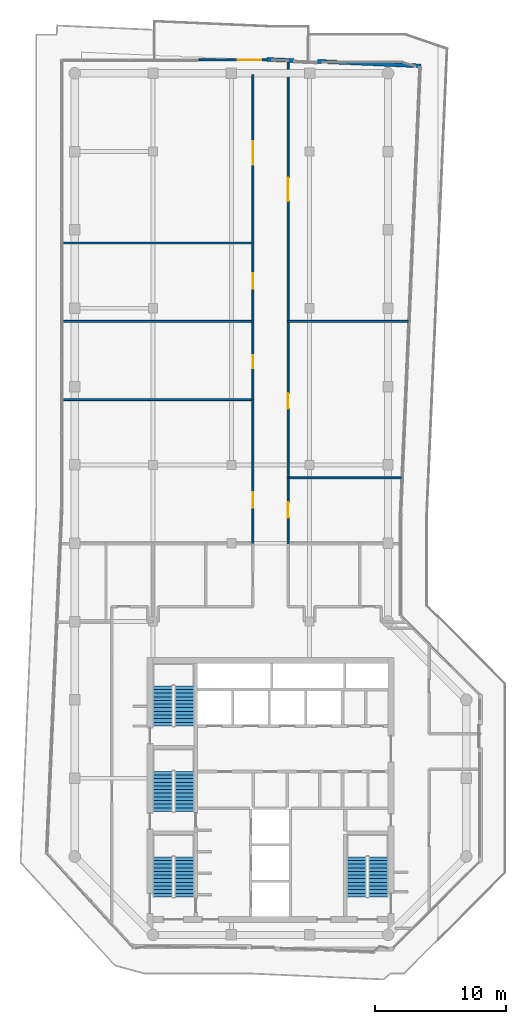
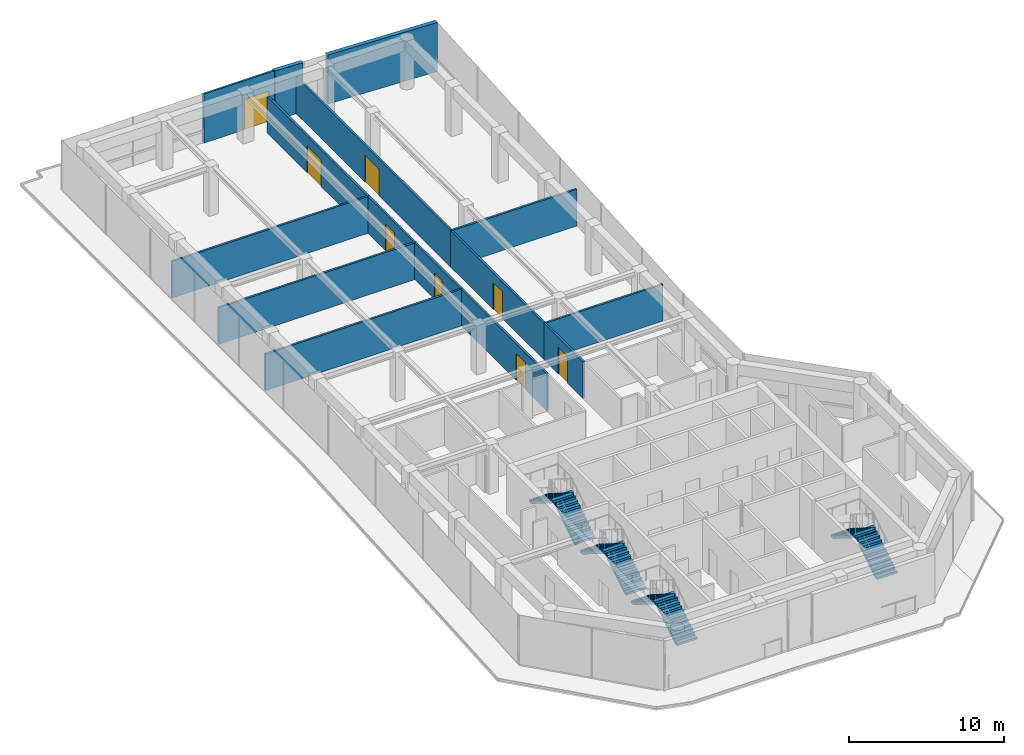
# One storey, part 18 of 20: 15 walls, 8 doors, 8 stair flights, 8 openings, 4 elements without a shape of their own.
"""IFC4 building model written with IfcOpenShell, lengths in metres."""

from ifc_helpers import new_model, si_unit, direction, frame, frame_2d, origin, place, context, subcontext, project, spatial, polyline, rectangle, outline, extrude, material, layer, layer_set, type_object, element, fill, aggregate, save


model = new_model("IFC4")

# Units and contexts
model_context = context("Model", 3, precision=1e-05, world=origin(), true_north=direction((0.0, 1.0)))
body_context = subcontext(model_context, "Body", "Model", "MODEL_VIEW")
ifc_project = project(units=[si_unit("LENGTHUNIT", "METRE"), si_unit("AREAUNIT", "SQUARE_METRE"), si_unit("VOLUMEUNIT", "CUBIC_METRE"), si_unit("PLANEANGLEUNIT", "RADIAN"), si_unit("MASSUNIT", "GRAM", prefix="KILO")], contexts=[model_context])

# Site, building, storey
site_placement = place(None, origin())
site = spatial("IfcSite", under=ifc_project, at=site_placement, CompositionType="ELEMENT")
building_placement = place(site_placement, origin())
building = spatial("IfcBuilding", under=site, at=building_placement, Name="Welwitschia Terrace Campus", CompositionType="ELEMENT")
storey_placement = place(building_placement, frame((0.0, 0.0, 239.0)))
storey = spatial("IfcBuildingStorey", under=building, at=storey_placement, Name="L53", CompositionType="ELEMENT", Elevation=239.0)

# Wall, opening, door
ifc_material_1 = material(Name="Concrete C40/50", Category="concrete")
ifc_layer_1 = layer(ifc_material_1, 0.139892578125)
ifc_layer_set_1 = layer_set([ifc_layer_1], Name="Concrete C40/50")
wall_type_1 = type_object("IfcWallType", Name="Clad wall 140", PredefinedType="SOLIDWALL", material=ifc_layer_set_1)
wall_1_placement = place(storey_placement, frame((14.72900390625, 71.030029296875, 0.0), z_axis=(0.0, 0.0, 1.0), x_axis=(-1.0, 0.0, 0.0)))
wall_1 = element("IfcWall", 1, at=wall_1_placement, inside=storey, type_object=wall_type_1, Name="Clad wall L53.terrace door 0", PredefinedType="SOLIDWALL", context=body_context, shape_type="SweptSolid", body=[
    extrude(rectangle(XDim=5.253173828125, YDim=0.139892578125, at=frame_2d((2.62646484375, 0.0))), origin(), (0.0, 0.0, 1.0), 3.85009765625),
])
opening_1_placement = place(wall_1_placement, frame((0.426513671875, 0.0, 0.0)))
opening_1 = element("IfcOpeningElement", 2, at=opening_1_placement, cuts=wall_1, Name="Opening DE3", PredefinedType="OPENING", context=body_context, shape_type="SweptSolid", body=[
    extrude(rectangle(XDim=1.800048828125, YDim=2.39990234375, at=frame_2d((0.89990234375, 1.199951171875))), frame((0.0, 0.079833984375, 0.0), z_axis=(0.0, -1.0, 0.0), x_axis=(1.0, 0.0, 0.0)), (0.0, 0.0, 1.0), 0.159912109375),
])
ifc_material_2 = material(Name="Bronze anodised aluminium and glass", Category="aluminium")
door_type_1 = type_object("IfcDoorType", Name="Terrace door 1800x2400", OperationType="DOUBLE_DOOR_DOUBLE_SWING", PredefinedType="DOOR", material=ifc_material_2)
door_1_placement = place(opening_1_placement, origin())
door_1 = element("IfcDoor", 3, at=door_1_placement, inside=storey, type_object=door_type_1, Name="Door L53:T0", OperationType="DOUBLE_DOOR_DOUBLE_SWING", OverallHeight=2.39990234375, OverallWidth=1.800048828125, PredefinedType="DOOR", context=body_context, shape_type="SweptSolid", body=[
    extrude(rectangle(XDim=1.800048828125, YDim=2.39990234375, at=frame_2d((0.89990234375, 1.199951171875))), frame((0.0, 0.02490234375, 0.0), z_axis=(0.0, -1.0, 0.0), x_axis=(1.0, 0.0, 0.0)), (0.0, 0.0, 1.0), 0.050048828125),
])
fill(opening_1, door_1)

# Walls
ifc_material_3 = material(Name="Gypsum board on steel studs", Category="steel")
ifc_layer_2 = layer(ifc_material_3, 0.14990234375)
ifc_layer_set_2 = layer_set([ifc_layer_2], Name="Gypsum board on steel studs")
wall_type_2 = type_object("IfcWallType", Name="Corridor partition 150 EI 30", PredefinedType="PARTITIONING", material=ifc_layer_set_2)
for number, where, z_axis, x_axis, name in (
    (4, (-0.97998046875, 45.0, 0.0), (0.0, 0.0, 1.0), (1.0, 0.0, 0.0), "Partition"),
    (5, (-0.97998046875, 51.0, 0.0), (0.0, 0.0, 1.0), (1.0, 0.0, 0.0), "Partition"),
    (6, (-0.97998046875, 57.0, 0.0), (0.0, 0.0, 1.0), (1.0, 0.0, 0.0), "Partition"),
):
    element("IfcWall", number, at=place(storey_placement, frame(where, z_axis=z_axis, x_axis=x_axis)), inside=storey, type_object=wall_type_2, Name=name, PredefinedType="PARTITIONING", context=body_context, shape_type="SweptSolid", body=[
        extrude(rectangle(XDim=14.6298828125, YDim=0.14990234375, at=frame_2d((7.31494140625, 0.0))), origin(), (0.0, 0.0, 1.0), 2.8798828125),
    ])

# Wall, opening, door
wall_2_placement = place(storey_placement, frame((13.64990234375, 33.949951171875, 0.0), z_axis=(0.0, 0.0, 1.0), x_axis=(0.0, 1.0, 0.0)))
wall_2 = element("IfcWall", 7, at=wall_2_placement, inside=storey, type_object=wall_type_2, Name="Partition", PredefinedType="PARTITIONING", context=body_context, shape_type="SweptSolid", body=[
    extrude(rectangle(XDim=11.050048828125, YDim=0.14990234375, at=frame_2d((5.52490234375, 0.0))), origin(), (0.0, 0.0, 1.0), 2.8798828125),
])
opening_2_placement = place(wall_2_placement, frame((2.75, 0.0, 0.0)))
opening_2 = element("IfcOpeningElement", 8, at=opening_2_placement, cuts=wall_2, Name="Opening DI12", PredefinedType="OPENING", context=body_context, shape_type="SweptSolid", body=[
    extrude(rectangle(XDim=1.199951171875, YDim=2.10009765625, at=frame_2d((0.60009765625, 1.050048828125))), frame((0.0, 0.0849609375, 0.0), z_axis=(0.0, -1.0, 0.0), x_axis=(1.0, 0.0, 0.0)), (0.0, 0.0, 1.0), 0.169921875),
])
ifc_material_4 = material(Name="Timber veneered door", Category="wood")
door_type_2 = type_object("IfcDoorType", Name="Interior door DI12", OperationType="NOTDEFINED", PredefinedType="DOOR", material=ifc_material_4)
door_2_placement = place(opening_2_placement, origin())
door_2 = element("IfcDoor", 9, at=door_2_placement, inside=storey, type_object=door_type_2, Name="Door L53 977", OperationType="SINGLE_SWING_RIGHT", OverallHeight=2.10009765625, OverallWidth=1.199951171875, PredefinedType="DOOR", context=body_context, shape_type="SweptSolid", body=[
    extrude(rectangle(XDim=1.199951171875, YDim=2.10009765625, at=frame_2d((0.60009765625, 1.050048828125))), frame((0.0, 0.02490234375, 0.0), z_axis=(0.0, -1.0, 0.0), x_axis=(1.0, 0.0, 0.0)), (0.0, 0.0, 1.0), 0.050048828125),
])
fill(opening_2, door_2)

wall_3_placement = place(storey_placement, frame((13.64990234375, 45.0, 0.0), z_axis=(0.0, 0.0, 1.0), x_axis=(0.0, 1.0, 0.0)))
wall_3 = element("IfcWall", 10, at=wall_3_placement, inside=storey, type_object=wall_type_2, Name="Partition", PredefinedType="PARTITIONING", context=body_context, shape_type="SweptSolid", body=[
    extrude(rectangle(XDim=6.0, YDim=0.14990234375, at=frame_2d((3.0, 0.0))), origin(), (0.0, 0.0, 1.0), 2.8798828125),
])
opening_3_placement = place(wall_3_placement, frame((2.39990234375, 0.0, 0.0)))
opening_3 = element("IfcOpeningElement", 11, at=opening_3_placement, cuts=wall_3, Name="Opening DI10", PredefinedType="OPENING", context=body_context, shape_type="SweptSolid", body=[
    extrude(rectangle(XDim=1.0, YDim=2.10009765625, at=frame_2d((0.5, 1.050048828125))), frame((0.0, 0.0849609375, 0.0), z_axis=(0.0, -1.0, 0.0), x_axis=(1.0, 0.0, 0.0)), (0.0, 0.0, 1.0), 0.169921875),
])
ifc_material_5 = material(Name="Timber veneered door", Category="wood")
door_type_3 = type_object("IfcDoorType", Name="Interior door DI10", OperationType="NOTDEFINED", PredefinedType="DOOR", material=ifc_material_5)
door_3_placement = place(opening_3_placement, origin())
door_3 = element("IfcDoor", 12, at=door_3_placement, inside=storey, type_object=door_type_3, Name="Door L53 978", OperationType="SINGLE_SWING_LEFT", OverallHeight=2.10009765625, OverallWidth=1.0, PredefinedType="DOOR", context=body_context, shape_type="SweptSolid", body=[
    extrude(rectangle(XDim=1.0, YDim=2.10009765625, at=frame_2d((0.5, 1.050048828125))), frame((0.0, 0.02490234375, 0.0), z_axis=(0.0, -1.0, 0.0), x_axis=(1.0, 0.0, 0.0)), (0.0, 0.0, 1.0), 0.050048828125),
])
fill(opening_3, door_3)

wall_4_placement = place(storey_placement, frame((13.64990234375, 51.0, 0.0), z_axis=(0.0, 0.0, 1.0), x_axis=(0.0, 1.0, 0.0)))
wall_4 = element("IfcWall", 13, at=wall_4_placement, inside=storey, type_object=wall_type_2, Name="Partition", PredefinedType="PARTITIONING", context=body_context, shape_type="SweptSolid", body=[
    extrude(rectangle(XDim=6.0, YDim=0.14990234375, at=frame_2d((3.0, 0.0))), origin(), (0.0, 0.0, 1.0), 2.8798828125),
])
opening_4_placement = place(wall_4_placement, frame((2.5, 0.0, 0.0)))
opening_4 = element("IfcOpeningElement", 14, at=opening_4_placement, cuts=wall_4, Name="Opening DI12", PredefinedType="OPENING", context=body_context, shape_type="SweptSolid", body=[
    extrude(rectangle(XDim=1.199951171875, YDim=2.10009765625, at=frame_2d((0.60009765625, 1.050048828125))), frame((0.0, 0.0849609375, 0.0), z_axis=(0.0, -1.0, 0.0), x_axis=(1.0, 0.0, 0.0)), (0.0, 0.0, 1.0), 0.169921875),
])
door_4_placement = place(opening_4_placement, origin())
door_4 = element("IfcDoor", 15, at=door_4_placement, inside=storey, type_object=door_type_2, Name="Door L53 979", OperationType="SINGLE_SWING_RIGHT", OverallHeight=2.10009765625, OverallWidth=1.199951171875, PredefinedType="DOOR", context=body_context, shape_type="SweptSolid", body=[
    extrude(rectangle(XDim=1.199951171875, YDim=2.10009765625, at=frame_2d((0.60009765625, 1.050048828125))), frame((0.0, 0.02490234375, 0.0), z_axis=(0.0, -1.0, 0.0), x_axis=(1.0, 0.0, 0.0)), (0.0, 0.0, 1.0), 0.050048828125),
])
fill(opening_4, door_4)

wall_5_placement = place(storey_placement, frame((13.64990234375, 69.89990234375, 0.0), z_axis=(0.0, 0.0, 1.0), x_axis=(0.0, -1.0, 0.0)))
wall_5 = element("IfcWall", 16, at=wall_5_placement, inside=storey, type_object=wall_type_2, Name="Partition", PredefinedType="PARTITIONING", context=body_context, shape_type="SweptSolid", body=[
    extrude(rectangle(XDim=12.89990234375, YDim=0.14990234375, at=frame_2d((6.449951171875, 0.0))), origin(), (0.0, 0.0, 1.0), 2.8798828125),
])
opening_5_placement = place(wall_5_placement, frame((5.1201171875, 0.0, 0.0)))
opening_5 = element("IfcOpeningElement", 17, at=opening_5_placement, cuts=wall_5, Name="Opening DI18", PredefinedType="OPENING", context=body_context, shape_type="SweptSolid", body=[
    extrude(rectangle(XDim=1.800048828125, YDim=2.10009765625, at=frame_2d((0.89990234375, 1.050048828125))), frame((0.0, 0.0849609375, 0.0), z_axis=(0.0, -1.0, 0.0), x_axis=(1.0, 0.0, 0.0)), (0.0, 0.0, 1.0), 0.169921875),
])
ifc_material_6 = material(Name="Timber veneered door", Category="wood")
door_type_4 = type_object("IfcDoorType", Name="Interior door DI18", OperationType="DOUBLE_DOOR_SINGLE_SWING", PredefinedType="DOOR", material=ifc_material_6)
door_5_placement = place(opening_5_placement, origin())
door_5 = element("IfcDoor", 18, at=door_5_placement, inside=storey, type_object=door_type_4, Name="Door L53 980", OperationType="SINGLE_SWING_LEFT", OverallHeight=2.10009765625, OverallWidth=1.800048828125, PredefinedType="DOOR", context=body_context, shape_type="SweptSolid", body=[
    extrude(rectangle(XDim=1.800048828125, YDim=2.10009765625, at=frame_2d((0.89990234375, 1.050048828125))), frame((0.0, 0.02490234375, 0.0), z_axis=(0.0, -1.0, 0.0), x_axis=(1.0, 0.0, 0.0)), (0.0, 0.0, 1.0), 0.050048828125),
])
fill(opening_5, door_5)

wall_6_placement = place(storey_placement, frame((16.35009765625, 39.0, 0.0), z_axis=(0.0, 0.0, 1.0), x_axis=(0.0, -1.0, 0.0)))
wall_6 = element("IfcWall", 19, at=wall_6_placement, inside=storey, type_object=wall_type_2, Name="Partition", PredefinedType="PARTITIONING", context=body_context, shape_type="SweptSolid", body=[
    extrude(rectangle(XDim=5.050048828125, YDim=0.14990234375, at=frame_2d((2.52490234375, 0.0))), origin(), (0.0, 0.0, 1.0), 2.8798828125),
])
opening_6_placement = place(wall_6_placement, frame((1.85009765625, 0.0, 0.0)))
opening_6 = element("IfcOpeningElement", 20, at=opening_6_placement, cuts=wall_6, Name="Opening DI12", PredefinedType="OPENING", context=body_context, shape_type="SweptSolid", body=[
    extrude(rectangle(XDim=1.199951171875, YDim=2.10009765625, at=frame_2d((0.60009765625, 1.050048828125))), frame((0.0, 0.0849609375, 0.0), z_axis=(0.0, -1.0, 0.0), x_axis=(1.0, 0.0, 0.0)), (0.0, 0.0, 1.0), 0.169921875),
])
door_6_placement = place(opening_6_placement, origin())
door_6 = element("IfcDoor", 21, at=door_6_placement, inside=storey, type_object=door_type_2, Name="Door L53 981", OperationType="SINGLE_SWING_RIGHT", OverallHeight=2.10009765625, OverallWidth=1.199951171875, PredefinedType="DOOR", context=body_context, shape_type="SweptSolid", body=[
    extrude(rectangle(XDim=1.199951171875, YDim=2.10009765625, at=frame_2d((0.60009765625, 1.050048828125))), frame((0.0, 0.02490234375, 0.0), z_axis=(0.0, -1.0, 0.0), x_axis=(1.0, 0.0, 0.0)), (0.0, 0.0, 1.0), 0.050048828125),
])
fill(opening_6, door_6)

wall_7_placement = place(storey_placement, frame((16.35009765625, 39.0, 0.0), z_axis=(0.0, 0.0, 1.0), x_axis=(0.0, 1.0, 0.0)))
wall_7 = element("IfcWall", 22, at=wall_7_placement, inside=storey, type_object=wall_type_2, Name="Partition", PredefinedType="PARTITIONING", context=body_context, shape_type="SweptSolid", body=[
    extrude(rectangle(XDim=12.0, YDim=0.14990234375, at=frame_2d((6.0, 0.0))), origin(), (0.0, 0.0, 1.0), 2.8798828125),
])
opening_7_placement = place(wall_7_placement, frame((5.300048828125, 0.0, 0.0)))
opening_7 = element("IfcOpeningElement", 23, at=opening_7_placement, cuts=wall_7, Name="Opening DI12", PredefinedType="OPENING", context=body_context, shape_type="SweptSolid", body=[
    extrude(rectangle(XDim=1.199951171875, YDim=2.10009765625, at=frame_2d((0.60009765625, 1.050048828125))), frame((0.0, 0.0849609375, 0.0), z_axis=(0.0, -1.0, 0.0), x_axis=(1.0, 0.0, 0.0)), (0.0, 0.0, 1.0), 0.169921875),
])
door_7_placement = place(opening_7_placement, origin())
door_7 = element("IfcDoor", 24, at=door_7_placement, inside=storey, type_object=door_type_2, Name="Door L53 982", OperationType="SINGLE_SWING_LEFT", OverallHeight=2.10009765625, OverallWidth=1.199951171875, PredefinedType="DOOR", context=body_context, shape_type="SweptSolid", body=[
    extrude(rectangle(XDim=1.199951171875, YDim=2.10009765625, at=frame_2d((0.60009765625, 1.050048828125))), frame((0.0, 0.02490234375, 0.0), z_axis=(0.0, -1.0, 0.0), x_axis=(1.0, 0.0, 0.0)), (0.0, 0.0, 1.0), 0.050048828125),
])
fill(opening_7, door_7)

# Wall
wall_8_placement = place(storey_placement, frame((16.35009765625, 39.0, 0.0), z_axis=(0.0, 0.0, 1.0), x_axis=(1.0, 0.0, 0.0)))
element("IfcWall", 25, at=wall_8_placement, inside=storey, type_object=wall_type_2, Name="Partition", PredefinedType="PARTITIONING", context=body_context, shape_type="SweptSolid", body=[
    extrude(rectangle(XDim=8.75, YDim=0.14990234375, at=frame_2d((4.375, 0.0))), origin(), (0.0, 0.0, 1.0), 2.8798828125),
])

# Wall, opening, door
wall_9_placement = place(storey_placement, frame((16.35009765625, 51.0, 0.0), z_axis=(0.0, 0.0, 1.0), x_axis=(0.0, 1.0, 0.0)))
wall_9 = element("IfcWall", 26, at=wall_9_placement, inside=storey, type_object=wall_type_2, Name="Partition", PredefinedType="PARTITIONING", context=body_context, shape_type="SweptSolid", body=[
    extrude(rectangle(XDim=20.018310546875, YDim=0.14990234375, at=frame_2d((10.00927734375, 0.0))), origin(), (0.0, 0.0, 1.0), 2.8798828125),
])
opening_8_placement = place(wall_9_placement, frame((9.199951171875, 0.0, 0.0)))
opening_8 = element("IfcOpeningElement", 27, at=opening_8_placement, cuts=wall_9, Name="Opening DI18", PredefinedType="OPENING", context=body_context, shape_type="SweptSolid", body=[
    extrude(rectangle(XDim=1.800048828125, YDim=2.10009765625, at=frame_2d((0.89990234375, 1.050048828125))), frame((0.0, 0.0849609375, 0.0), z_axis=(0.0, -1.0, 0.0), x_axis=(1.0, 0.0, 0.0)), (0.0, 0.0, 1.0), 0.169921875),
])
door_8_placement = place(opening_8_placement, origin())
door_8 = element("IfcDoor", 28, at=door_8_placement, inside=storey, type_object=door_type_4, Name="Door L53 983", OperationType="SINGLE_SWING_LEFT", OverallHeight=2.10009765625, OverallWidth=1.800048828125, PredefinedType="DOOR", context=body_context, shape_type="SweptSolid", body=[
    extrude(rectangle(XDim=1.800048828125, YDim=2.10009765625, at=frame_2d((0.89990234375, 1.050048828125))), frame((0.0, 0.02490234375, 0.0), z_axis=(0.0, -1.0, 0.0), x_axis=(1.0, 0.0, 0.0)), (0.0, 0.0, 1.0), 0.050048828125),
])
fill(opening_8, door_8)

# Walls
wall_10_placement = place(storey_placement, frame((16.35009765625, 51.0, 0.0), z_axis=(0.0, 0.0, 1.0), x_axis=(1.0, 0.0, 0.0)))
element("IfcWall", 29, at=wall_10_placement, inside=storey, type_object=wall_type_2, Name="Partition", PredefinedType="PARTITIONING", context=body_context, shape_type="SweptSolid", body=[
    extrude(rectangle(XDim=9.27978515625, YDim=0.14990234375, at=frame_2d((4.639892578125, 0.0))), origin(), (0.0, 0.0, 1.0), 2.8798828125),
])
ifc_material_7 = material(Name="Concrete C40/50", Category="concrete")
ifc_layer_3 = layer(ifc_material_7, 0.300048828125)
ifc_layer_set_3 = layer_set([ifc_layer_3], Name="Concrete C40/50")
wall_type_3 = type_object("IfcWallType", Name="Mass wall 300", PredefinedType="SOLIDWALL", material=ifc_layer_set_3)
wall_11_placement = place(storey_placement, frame((26.53271484375, 70.565673828125, 0.0), z_axis=(0.0, 0.0, 1.0), x_axis=(-0.999020054915, 0.044259799799, 0.0)))
element("IfcWall", 30, at=wall_11_placement, inside=storey, type_object=wall_type_3, Name="Mass wall L53.8.0", PredefinedType="SOLIDWALL", context=body_context, shape_type="SweptSolid", body=[
    extrude(rectangle(XDim=7.959716796875, YDim=0.300048828125, at=frame_2d((3.97998046875, 0.0))), origin(), (0.0, 0.0, 1.0), 3.85009765625),
])
wall_12_placement = place(storey_placement, frame((16.78173828125, 70.974365234375, 0.0), z_axis=(0.0, 0.0, 1.0), x_axis=(-0.999021293224, 0.044231840167, 0.0)))
element("IfcWall", 31, at=wall_12_placement, inside=storey, type_object=wall_type_3, Name="Mass wall L53.8.1", PredefinedType="SOLIDWALL", context=body_context, shape_type="SweptSolid", body=[
    extrude(rectangle(XDim=2.05322265625, YDim=0.300048828125, at=frame_2d((1.026611328125, 0.0))), origin(), (0.0, 0.0, 1.0), 3.85009765625),
])

# Stair, stair flights
ifc_material_8 = material(Name="Concrete C40/50", Category="concrete")
stair_type = type_object("IfcStairType", Name="Stair 24R 175 W1500", PredefinedType="HALF_TURN_STAIR", material=ifc_material_8)
stair_1_placement = place(storey_placement, origin())
stair_1 = element("IfcStair", 32, at=stair_1_placement, inside=storey, type_object=stair_type, Name="L53 Exit stair S1", PredefinedType="HALF_TURN_STAIR")
ifc_material_9 = material(Name="Concrete C40/50", Category="concrete")
stair_flight_type = type_object("IfcStairFlightType", Name="Stair flight 24R 175 W1500", PredefinedType="STRAIGHT", material=ifc_material_9)
stair_flight_1_placement = place(storey_placement, frame((8.39990234375, 6.89990234375, 0.0), z_axis=(0.0, 0.0, 1.0), x_axis=(0.0, 1.0, 0.0)))
stair_flight_1 = element("IfcStairFlight", 33, at=stair_flight_1_placement, type_object=stair_flight_type, Name="S1 flight 1", NumberOfRisers=12, NumberOfTreads=11, PredefinedType="STRAIGHT", RiserHeight=0.175, TreadLength=0.28, context=body_context, shape_type="SweptSolid", body=[
    extrude(outline(polyline([(0.0, 0.0), (0.0, 0.175048828125), (0.280029296875, 0.175048828125), (0.280029296875, 0.35009765625), (0.56005859375, 0.35009765625), (0.56005859375, 0.52490234375), (0.840087890625, 0.52490234375), (0.840087890625, 0.699951171875), (1.1201171875, 0.699951171875), (1.1201171875, 0.875), (1.39990234375, 0.875), (1.39990234375, 1.050048828125), (1.679931640625, 1.050048828125), (1.679931640625, 1.22509765625), (1.9599609375, 1.22509765625), (1.9599609375, 1.39990234375), (2.239990234375, 1.39990234375), (2.239990234375, 1.574951171875), (2.52001953125, 1.574951171875), (2.52001953125, 1.75), (2.800048828125, 1.75), (2.800048828125, 1.925048828125), (3.080078125, 1.925048828125), (3.080078125, 2.10009765625), (3.080078125, 1.748291015625), (0.28271484375, 0.0), (0.0, 0.0)])), frame((0.0, 0.75, 0.0), z_axis=(0.0, -1.0, 0.0), x_axis=(1.0, 0.0, 0.0)), (0.0, 0.0, 1.0), 1.5),
])
stair_flight_2_placement = place(storey_placement, frame((6.75, 9.97998046875, 2.10009765625), z_axis=(0.0, 0.0, 1.0), x_axis=(0.0, -1.0, 0.0)))
stair_flight_2 = element("IfcStairFlight", 34, at=stair_flight_2_placement, type_object=stair_flight_type, Name="S1 flight 2", NumberOfRisers=12, NumberOfTreads=11, PredefinedType="STRAIGHT", RiserHeight=0.175, TreadLength=0.28, context=body_context, shape_type="SweptSolid", body=[
    extrude(outline(polyline([(0.0, 0.0), (0.0, 0.175048828125), (0.280029296875, 0.175048828125), (0.280029296875, 0.35009765625), (0.56005859375, 0.35009765625), (0.56005859375, 0.52490234375), (0.840087890625, 0.52490234375), (0.840087890625, 0.699951171875), (1.1201171875, 0.699951171875), (1.1201171875, 0.875), (1.39990234375, 0.875), (1.39990234375, 1.050048828125), (1.679931640625, 1.050048828125), (1.679931640625, 1.22509765625), (1.9599609375, 1.22509765625), (1.9599609375, 1.39990234375), (2.239990234375, 1.39990234375), (2.239990234375, 1.574951171875), (2.52001953125, 1.574951171875), (2.52001953125, 1.75), (2.800048828125, 1.75), (2.800048828125, 1.925048828125), (3.080078125, 1.925048828125), (3.080078125, 2.10009765625), (3.080078125, 1.748291015625), (0.28271484375, 0.0), (0.0, 0.0)])), frame((0.0, 0.75, 0.0), z_axis=(0.0, -1.0, 0.0), x_axis=(1.0, 0.0, 0.0)), (0.0, 0.0, 1.0), 1.5),
])
aggregate(stair_1, [stair_flight_1, stair_flight_2])

stair_2_placement = place(storey_placement, origin())
stair_2 = element("IfcStair", 35, at=stair_2_placement, inside=storey, type_object=stair_type, Name="L53 Exit stair S3", PredefinedType="HALF_TURN_STAIR")
stair_flight_3_placement = place(storey_placement, frame((8.39990234375, 13.449951171875, 0.0), z_axis=(0.0, 0.0, 1.0), x_axis=(0.0, 1.0, 0.0)))
stair_flight_3 = element("IfcStairFlight", 36, at=stair_flight_3_placement, type_object=stair_flight_type, Name="S3 flight 1", NumberOfRisers=12, NumberOfTreads=11, PredefinedType="STRAIGHT", RiserHeight=0.175, TreadLength=0.28, context=body_context, shape_type="SweptSolid", body=[
    extrude(outline(polyline([(0.0, 0.0), (0.0, 0.175048828125), (0.280029296875, 0.175048828125), (0.280029296875, 0.35009765625), (0.56005859375, 0.35009765625), (0.56005859375, 0.52490234375), (0.840087890625, 0.52490234375), (0.840087890625, 0.699951171875), (1.1201171875, 0.699951171875), (1.1201171875, 0.875), (1.39990234375, 0.875), (1.39990234375, 1.050048828125), (1.679931640625, 1.050048828125), (1.679931640625, 1.22509765625), (1.9599609375, 1.22509765625), (1.9599609375, 1.39990234375), (2.239990234375, 1.39990234375), (2.239990234375, 1.574951171875), (2.52001953125, 1.574951171875), (2.52001953125, 1.75), (2.800048828125, 1.75), (2.800048828125, 1.925048828125), (3.080078125, 1.925048828125), (3.080078125, 2.10009765625), (3.080078125, 1.748291015625), (0.28271484375, 0.0), (0.0, 0.0)])), frame((0.0, 0.75, 0.0), z_axis=(0.0, -1.0, 0.0), x_axis=(1.0, 0.0, 0.0)), (0.0, 0.0, 1.0), 1.5),
])
stair_flight_4_placement = place(storey_placement, frame((6.75, 16.530029296875, 2.10009765625), z_axis=(0.0, 0.0, 1.0), x_axis=(0.0, -1.0, 0.0)))
stair_flight_4 = element("IfcStairFlight", 37, at=stair_flight_4_placement, type_object=stair_flight_type, Name="S3 flight 2", NumberOfRisers=12, NumberOfTreads=11, PredefinedType="STRAIGHT", RiserHeight=0.175, TreadLength=0.28, context=body_context, shape_type="SweptSolid", body=[
    extrude(outline(polyline([(0.0, 0.0), (0.0, 0.175048828125), (0.280029296875, 0.175048828125), (0.280029296875, 0.35009765625), (0.56005859375, 0.35009765625), (0.56005859375, 0.52490234375), (0.840087890625, 0.52490234375), (0.840087890625, 0.699951171875), (1.1201171875, 0.699951171875), (1.1201171875, 0.875), (1.39990234375, 0.875), (1.39990234375, 1.050048828125), (1.679931640625, 1.050048828125), (1.679931640625, 1.22509765625), (1.9599609375, 1.22509765625), (1.9599609375, 1.39990234375), (2.239990234375, 1.39990234375), (2.239990234375, 1.574951171875), (2.52001953125, 1.574951171875), (2.52001953125, 1.75), (2.800048828125, 1.75), (2.800048828125, 1.925048828125), (3.080078125, 1.925048828125), (3.080078125, 2.10009765625), (3.080078125, 1.748291015625), (0.28271484375, 0.0), (0.0, 0.0)])), frame((0.0, 0.75, 0.0), z_axis=(0.0, -1.0, 0.0), x_axis=(1.0, 0.0, 0.0)), (0.0, 0.0, 1.0), 1.5),
])
aggregate(stair_2, [stair_flight_3, stair_flight_4])

stair_3_placement = place(storey_placement, origin())
stair_3 = element("IfcStair", 38, at=stair_3_placement, inside=storey, type_object=stair_type, Name="L53 Exit stair S4", PredefinedType="HALF_TURN_STAIR")
stair_flight_5_placement = place(storey_placement, frame((8.39990234375, 20.0, 0.0), z_axis=(0.0, 0.0, 1.0), x_axis=(0.0, 1.0, 0.0)))
stair_flight_5 = element("IfcStairFlight", 39, at=stair_flight_5_placement, type_object=stair_flight_type, Name="S4 flight 1", NumberOfRisers=12, NumberOfTreads=11, PredefinedType="STRAIGHT", RiserHeight=0.175, TreadLength=0.28, context=body_context, shape_type="SweptSolid", body=[
    extrude(outline(polyline([(0.0, 0.0), (0.0, 0.175048828125), (0.280029296875, 0.175048828125), (0.280029296875, 0.35009765625), (0.56005859375, 0.35009765625), (0.56005859375, 0.52490234375), (0.840087890625, 0.52490234375), (0.840087890625, 0.699951171875), (1.1201171875, 0.699951171875), (1.1201171875, 0.875), (1.39990234375, 0.875), (1.39990234375, 1.050048828125), (1.679931640625, 1.050048828125), (1.679931640625, 1.22509765625), (1.9599609375, 1.22509765625), (1.9599609375, 1.39990234375), (2.239990234375, 1.39990234375), (2.239990234375, 1.574951171875), (2.52001953125, 1.574951171875), (2.52001953125, 1.75), (2.800048828125, 1.75), (2.800048828125, 1.925048828125), (3.080078125, 1.925048828125), (3.080078125, 2.10009765625), (3.080078125, 1.748291015625), (0.28271484375, 0.0), (0.0, 0.0)])), frame((0.0, 0.75, 0.0), z_axis=(0.0, -1.0, 0.0), x_axis=(1.0, 0.0, 0.0)), (0.0, 0.0, 1.0), 1.5),
])
stair_flight_6_placement = place(storey_placement, frame((6.75, 23.080078125, 2.10009765625), z_axis=(0.0, 0.0, 1.0), x_axis=(0.0, -1.0, 0.0)))
stair_flight_6 = element("IfcStairFlight", 40, at=stair_flight_6_placement, type_object=stair_flight_type, Name="S4 flight 2", NumberOfRisers=12, NumberOfTreads=11, PredefinedType="STRAIGHT", RiserHeight=0.175, TreadLength=0.28, context=body_context, shape_type="SweptSolid", body=[
    extrude(outline(polyline([(0.0, 0.0), (0.0, 0.175048828125), (0.280029296875, 0.175048828125), (0.280029296875, 0.35009765625), (0.56005859375, 0.35009765625), (0.56005859375, 0.52490234375), (0.840087890625, 0.52490234375), (0.840087890625, 0.699951171875), (1.1201171875, 0.699951171875), (1.1201171875, 0.875), (1.39990234375, 0.875), (1.39990234375, 1.050048828125), (1.679931640625, 1.050048828125), (1.679931640625, 1.22509765625), (1.9599609375, 1.22509765625), (1.9599609375, 1.39990234375), (2.239990234375, 1.39990234375), (2.239990234375, 1.574951171875), (2.52001953125, 1.574951171875), (2.52001953125, 1.75), (2.800048828125, 1.75), (2.800048828125, 1.925048828125), (3.080078125, 1.925048828125), (3.080078125, 2.10009765625), (3.080078125, 1.748291015625), (0.28271484375, 0.0), (0.0, 0.0)])), frame((0.0, 0.75, 0.0), z_axis=(0.0, -1.0, 0.0), x_axis=(1.0, 0.0, 0.0)), (0.0, 0.0, 1.0), 1.5),
])
aggregate(stair_3, [stair_flight_5, stair_flight_6])

stair_4_placement = place(storey_placement, origin())
stair_4 = element("IfcStair", 41, at=stair_4_placement, inside=storey, type_object=stair_type, Name="L53 Exit stair S2", PredefinedType="HALF_TURN_STAIR")
stair_flight_7_placement = place(storey_placement, frame((23.25, 6.89990234375, 0.0), z_axis=(0.0, 0.0, 1.0), x_axis=(0.0, 1.0, 0.0)))
stair_flight_7 = element("IfcStairFlight", 42, at=stair_flight_7_placement, type_object=stair_flight_type, Name="S2 flight 1", NumberOfRisers=12, NumberOfTreads=11, PredefinedType="STRAIGHT", RiserHeight=0.175, TreadLength=0.28, context=body_context, shape_type="SweptSolid", body=[
    extrude(outline(polyline([(0.0, 0.0), (0.0, 0.175048828125), (0.280029296875, 0.175048828125), (0.280029296875, 0.35009765625), (0.56005859375, 0.35009765625), (0.56005859375, 0.52490234375), (0.840087890625, 0.52490234375), (0.840087890625, 0.699951171875), (1.1201171875, 0.699951171875), (1.1201171875, 0.875), (1.39990234375, 0.875), (1.39990234375, 1.050048828125), (1.679931640625, 1.050048828125), (1.679931640625, 1.22509765625), (1.9599609375, 1.22509765625), (1.9599609375, 1.39990234375), (2.239990234375, 1.39990234375), (2.239990234375, 1.574951171875), (2.52001953125, 1.574951171875), (2.52001953125, 1.75), (2.800048828125, 1.75), (2.800048828125, 1.925048828125), (3.080078125, 1.925048828125), (3.080078125, 2.10009765625), (3.080078125, 1.748291015625), (0.28271484375, 0.0), (0.0, 0.0)])), frame((0.0, 0.75, 0.0), z_axis=(0.0, -1.0, 0.0), x_axis=(1.0, 0.0, 0.0)), (0.0, 0.0, 1.0), 1.5),
])
stair_flight_8_placement = place(storey_placement, frame((21.60009765625, 9.97998046875, 2.10009765625), z_axis=(0.0, 0.0, 1.0), x_axis=(0.0, -1.0, 0.0)))
stair_flight_8 = element("IfcStairFlight", 43, at=stair_flight_8_placement, type_object=stair_flight_type, Name="S2 flight 2", NumberOfRisers=12, NumberOfTreads=11, PredefinedType="STRAIGHT", RiserHeight=0.175, TreadLength=0.28, context=body_context, shape_type="SweptSolid", body=[
    extrude(outline(polyline([(0.0, 0.0), (0.0, 0.175048828125), (0.280029296875, 0.175048828125), (0.280029296875, 0.35009765625), (0.56005859375, 0.35009765625), (0.56005859375, 0.52490234375), (0.840087890625, 0.52490234375), (0.840087890625, 0.699951171875), (1.1201171875, 0.699951171875), (1.1201171875, 0.875), (1.39990234375, 0.875), (1.39990234375, 1.050048828125), (1.679931640625, 1.050048828125), (1.679931640625, 1.22509765625), (1.9599609375, 1.22509765625), (1.9599609375, 1.39990234375), (2.239990234375, 1.39990234375), (2.239990234375, 1.574951171875), (2.52001953125, 1.574951171875), (2.52001953125, 1.75), (2.800048828125, 1.75), (2.800048828125, 1.925048828125), (3.080078125, 1.925048828125), (3.080078125, 2.10009765625), (3.080078125, 1.748291015625), (0.28271484375, 0.0), (0.0, 0.0)])), frame((0.0, 0.75, 0.0), z_axis=(0.0, -1.0, 0.0), x_axis=(1.0, 0.0, 0.0)), (0.0, 0.0, 1.0), 1.5),
])
aggregate(stair_4, [stair_flight_7, stair_flight_8])

save(model, "model.ifc")
